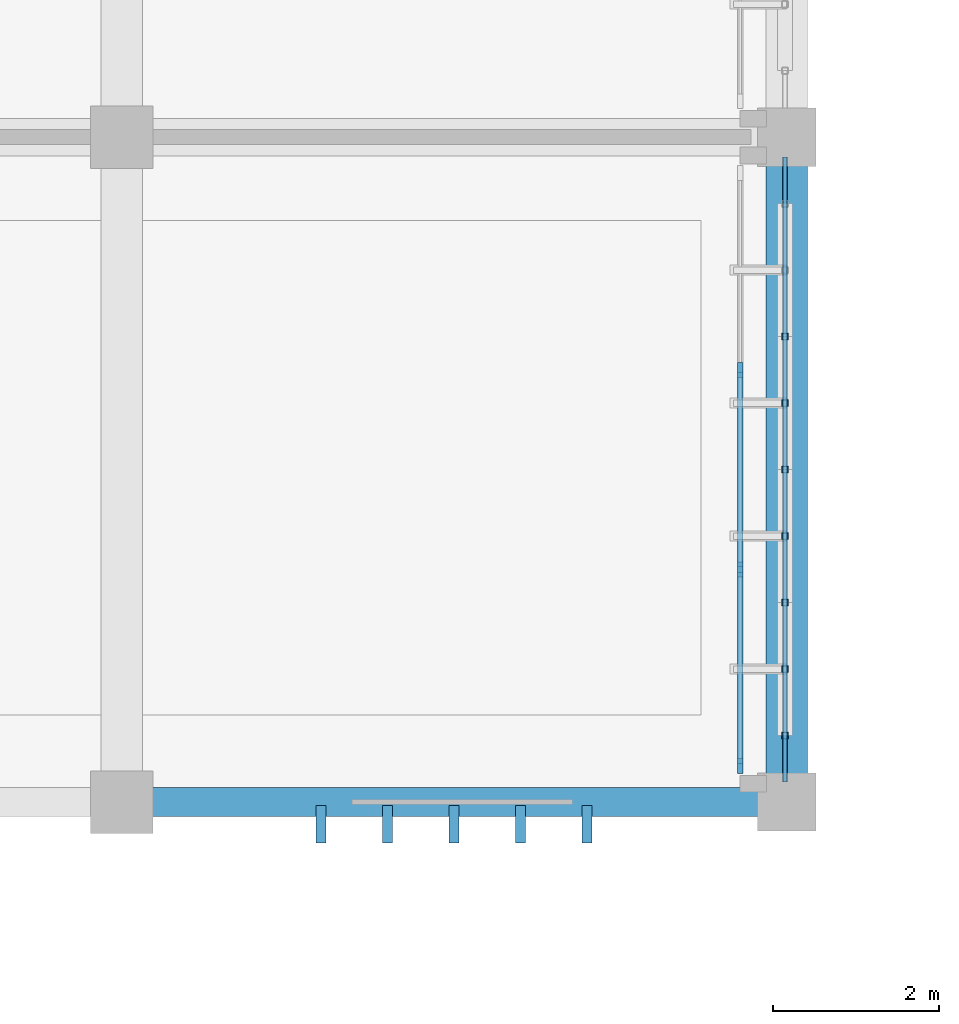
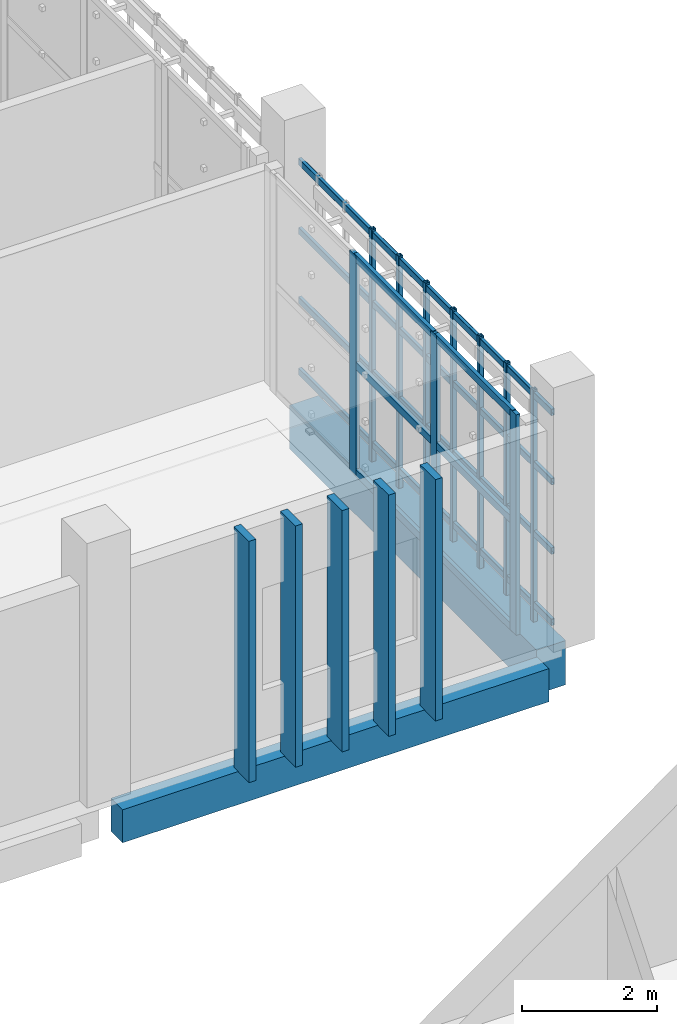
# One storey, part 71 of 117: 25 members, 2 beams, 1 element without a shape of its own.
"""IFC4 building model written with IfcOpenShell, lengths in metres."""

from ifc_helpers import new_model, si_unit, direction, frame, origin, origin_2d, place, context, subcontext, project, spatial, rectangle, hollow_rectangle, extrude, material, layer, layer_set, material_profile, profile_set, type_object, element, aggregate, save


model = new_model("IFC4")

# Units and contexts
model_context = context("Model", 3, precision=1e-05, world=origin(), true_north=direction((0.0, 1.0)))
body_context = subcontext(model_context, "Body", "Model", "MODEL_VIEW")
ifc_project = project(units=[si_unit("LENGTHUNIT", "METRE"), si_unit("AREAUNIT", "SQUARE_METRE"), si_unit("VOLUMEUNIT", "CUBIC_METRE"), si_unit("PLANEANGLEUNIT", "RADIAN"), si_unit("MASSUNIT", "GRAM", prefix="KILO")], contexts=[model_context])

# Site, building, storey
site_placement = place(None, origin())
site = spatial("IfcSite", under=ifc_project, at=site_placement, CompositionType="ELEMENT")
building_placement = place(site_placement, origin())
building = spatial("IfcBuilding", under=site, at=building_placement, Name="Jelvoka-Kovrelna Polytechnic", CompositionType="ELEMENT")
storey_placement = place(building_placement, origin())
storey = spatial("IfcBuildingStorey", under=building, at=storey_placement, Name="L01", CompositionType="ELEMENT", Elevation=0.0)

# Beam
ifc_material_1 = material(Name="Concrete C40/50", Category="concrete")
ifc_material_profile_1 = material_profile(ifc_material_1, rectangle(XDim=0.5, YDim=0.800048828125, at=origin_2d()), Name="RC 500x800")
ifc_profile_set_1 = profile_set([ifc_material_profile_1], Name="Concrete C40/50")
beam_type_1 = type_object("IfcBeamType", Name="Beam_RC_500x800", PredefinedType="BEAM", material=ifc_profile_set_1)
beam_1_placement = place(storey_placement, frame((192.0, 56.330078125, -0.804931640625), z_axis=(0.0, 1.0, 0.0), x_axis=(-1.0, 0.0, 0.0)))
element("IfcBeam", 1, at=beam_1_placement, inside=storey, type_object=beam_type_1, Name="L01 beam 0521", PredefinedType="BEAM", context=body_context, shape_type="SweptSolid", body=[
    extrude(rectangle(XDim=0.5, YDim=0.800048828125, at=origin_2d()), origin(), (0.0, 0.0, 1.0), 7.33984375),
])

# Members
ifc_material_2 = material(Name="Precast concrete C40/50", Category="concrete")
ifc_material_profile_2 = material_profile(ifc_material_2, rectangle(XDim=0.1201171875, YDim=0.449951171875, at=origin_2d()), Name="PC 120x450")
ifc_profile_set_2 = profile_set([ifc_material_profile_2], Name="Precast concrete C40/50")
member_type_1 = type_object("IfcMemberType", Name="Louvre_Fin_120x450", PredefinedType="USERDEFINED", material=ifc_profile_set_2)
for number, where, z_axis, x_axis, name in (
    (2, (186.39990234375, 55.735107421875, -0.419921875), (0.0, 0.0, 1.0), (1.0, 0.0, 0.0), "L01 B3 south vertical solar louvre fin 1311"),
    (3, (187.199951171875, 55.735107421875, -0.419921875), (0.0, 0.0, 1.0), (1.0, 0.0, 0.0), "L01 B3 south vertical solar louvre fin 1312"),
    (4, (188.0, 55.735107421875, -0.419921875), (0.0, 0.0, 1.0), (1.0, 0.0, 0.0), "L01 B3 south vertical solar louvre fin 1313"),
    (5, (188.800048828125, 55.735107421875, -0.419921875), (0.0, 0.0, 1.0), (1.0, 0.0, 0.0), "L01 B3 south vertical solar louvre fin 1314"),
    (6, (189.60009765625, 55.735107421875, -0.419921875), (0.0, 0.0, 1.0), (1.0, 0.0, 0.0), "L01 B3 south vertical solar louvre fin 1315"),
):
    element("IfcMember", number, at=place(storey_placement, frame(where, z_axis=z_axis, x_axis=x_axis)), inside=storey, type_object=member_type_1, Name=name, ObjectType="SUNSHADE", PredefinedType="USERDEFINED", context=body_context, shape_type="SweptSolid", body=[
        extrude(rectangle(XDim=0.1201171875, YDim=0.449951171875, at=origin_2d()), origin(), (0.0, 0.0, 1.0), 4.3798828125),
    ])
ifc_material_3 = material(Name="Structural steel S355J2H", Category="steel")
ifc_material_profile_3 = material_profile(ifc_material_3, hollow_rectangle(XDim=0.06005859375, YDim=0.1201171875, WallThickness=0.0048828125, InnerFilletRadius=0.0048828125, OuterFilletRadius=0.007568359375, at=origin_2d()), Name="120x60x5.0 RHS")
ifc_profile_set_3 = profile_set([ifc_material_profile_3], Name="Structural steel S355J2H")
member_type_2 = type_object("IfcMemberType", Name="Member_Strut_RHS120", PredefinedType="STRUT", material=ifc_profile_set_3)
for number, where, z_axis, x_axis, name in (
    (7, (191.97998046875, 56.239990234375, 0.080078125), (0.0, 1.0, 0.0), (-1.0, 0.0, 0.0), "L01 terracotta screen horizontal strut 0625"),
    (8, (191.97998046875, 56.239990234375, 1.37548828125), (0.0, 1.0, 0.0), (-1.0, 0.0, 0.0), "L01 terracotta screen horizontal strut 0626"),
    (9, (191.97998046875, 56.239990234375, 2.6328125), (0.0, 1.0, 0.0), (-1.0, 0.0, 0.0), "L01 terracotta screen horizontal strut 0627"),
    (10, (191.97998046875, 56.239990234375, 3.889892578125), (0.0, 1.0, 0.0), (-1.0, 0.0, 0.0), "L01 terracotta screen horizontal strut 0628"),
):
    element("IfcMember", number, at=place(storey_placement, frame(where, z_axis=z_axis, x_axis=x_axis)), inside=storey, type_object=member_type_2, Name=name, PredefinedType="STRUT", context=body_context, shape_type="SweptSolid", body=[
        extrude(hollow_rectangle(XDim=0.06005859375, YDim=0.1201171875, WallThickness=0.0048828125, InnerFilletRadius=0.0048828125, OuterFilletRadius=0.007568359375, at=origin_2d()), origin(), (0.0, 0.0, 1.0), 7.52001953125),
    ])
ifc_material_4 = material(Name="Structural steel S355J2H", Category="steel")
ifc_material_profile_4 = material_profile(ifc_material_4, hollow_rectangle(XDim=0.080078125, YDim=0.080078125, WallThickness=0.0048828125, InnerFilletRadius=0.0048828125, OuterFilletRadius=0.007568359375, at=origin_2d()), Name="80x80x5.0 SHS")
ifc_profile_set_4 = profile_set([ifc_material_profile_4], Name="Structural steel S355J2H")
member_type_3 = type_object("IfcMemberType", Name="Member_Strut_SHS80", PredefinedType="STRUT", material=ifc_profile_set_4)
for number, where, z_axis, x_axis, name in (
    (11, (191.97998046875, 56.800048828125, -0.22998046875), (0.0, 0.0, 1.0), (1.0, 0.0, 0.0), "L01 terracotta lattice vertical rib 0629"),
    (12, (191.97998046875, 57.60009765625, -0.22998046875), (0.0, 0.0, 1.0), (1.0, 0.0, 0.0), "L01 terracotta lattice vertical rib 0630"),
    (13, (191.97998046875, 58.39990234375, -0.22998046875), (0.0, 0.0, 1.0), (1.0, 0.0, 0.0), "L01 terracotta lattice vertical rib 0631"),
    (14, (191.97998046875, 59.199951171875, -0.22998046875), (0.0, 0.0, 1.0), (1.0, 0.0, 0.0), "L01 terracotta lattice vertical rib 0632"),
    (15, (191.97998046875, 60.0, -0.22998046875), (0.0, 0.0, 1.0), (1.0, 0.0, 0.0), "L01 terracotta lattice vertical rib 0633"),
    (16, (191.97998046875, 60.800048828125, -0.22998046875), (0.0, 0.0, 1.0), (1.0, 0.0, 0.0), "L01 terracotta lattice vertical rib 0634"),
    (17, (191.97998046875, 61.60009765625, -0.22998046875), (0.0, 0.0, 1.0), (1.0, 0.0, 0.0), "L01 terracotta lattice vertical rib 0635"),
):
    element("IfcMember", number, at=place(storey_placement, frame(where, z_axis=z_axis, x_axis=x_axis)), inside=storey, type_object=member_type_3, Name=name, PredefinedType="STRUT", context=body_context, shape_type="SweptSolid", body=[
        extrude(hollow_rectangle(XDim=0.080078125, YDim=0.080078125, WallThickness=0.0048828125, InnerFilletRadius=0.0048828125, OuterFilletRadius=0.007568359375, at=origin_2d()), origin(), (0.0, 0.0, 1.0), 4.2099609375),
    ])

# Curtain wall, members
ifc_material_5 = material(Name="Anodised aluminium 6063-T6", Category="aluminium")
ifc_layer = layer(ifc_material_5, 0.179931640625)
ifc_layer_set = layer_set([ifc_layer], Name="Anodised aluminium 6063-T6")
curtain_wall_type = type_object("IfcCurtainWallType", Name="CW_Recessed_B", PredefinedType="NOTDEFINED", material=ifc_layer_set)
curtain_wall_placement = place(storey_placement, origin())
curtain_wall = element("IfcCurtainWall", 18, at=curtain_wall_placement, inside=storey, type_object=curtain_wall_type, Name="L01 glazed curtain wall 081", PredefinedType="NOTDEFINED")
ifc_material_6 = material(Name="Anodised aluminium 6063-T6", Category="aluminium")
ifc_material_profile_5 = material_profile(ifc_material_6, rectangle(XDim=0.06494140625, YDim=0.179931640625, at=origin_2d()), Name="ALU 65x180")
ifc_profile_set_5 = profile_set([ifc_material_profile_5], Name="Anodised aluminium 6063-T6")
member_type_4 = type_object("IfcMemberType", Name="Mullion_M-02", PredefinedType="MULLION", material=ifc_profile_set_5)
member_1_placement = place(storey_placement, frame((191.43994140625, 61.199951171875, -0.02490234375), z_axis=(0.0, 0.0, 1.0), x_axis=(1.0, 0.0, 0.0)))
member_1 = element("IfcMember", 19, at=member_1_placement, type_object=member_type_4, Name="CW-02 mullion 2", PredefinedType="MULLION", context=body_context, shape_type="SweptSolid", body=[
    extrude(rectangle(XDim=0.06494140625, YDim=0.179931640625, at=origin_2d()), origin(), (0.0, 0.0, 1.0), 4.0),
])
member_2_placement = place(storey_placement, frame((191.43994140625, 58.800048828125, -0.02490234375), z_axis=(0.0, 0.0, 1.0), x_axis=(1.0, 0.0, 0.0)))
member_2 = element("IfcMember", 20, at=member_2_placement, type_object=member_type_4, Name="CW-02 mullion 3", PredefinedType="MULLION", context=body_context, shape_type="SweptSolid", body=[
    extrude(rectangle(XDim=0.06494140625, YDim=0.179931640625, at=origin_2d()), origin(), (0.0, 0.0, 1.0), 4.0),
])
member_3_placement = place(storey_placement, frame((191.43994140625, 56.4326171875, -0.02490234375), z_axis=(0.0, 0.0, 1.0), x_axis=(1.0, 0.0, 0.0)))
member_3 = element("IfcMember", 21, at=member_3_placement, type_object=member_type_4, Name="CW-02 mullion 4", PredefinedType="MULLION", context=body_context, shape_type="SweptSolid", body=[
    extrude(rectangle(XDim=0.06494140625, YDim=0.179931640625, at=origin_2d()), origin(), (0.0, 0.0, 1.0), 4.0),
])

# Beam
ifc_material_7 = material(Name="Concrete C40/50", Category="concrete")
ifc_material_profile_6 = material_profile(ifc_material_7, rectangle(XDim=0.35009765625, YDim=0.60009765625, at=origin_2d()), Name="RC 350x600")
ifc_profile_set_6 = profile_set([ifc_material_profile_6], Name="Concrete C40/50")
beam_type_2 = type_object("IfcBeamType", Name="Spandrel_RC_350x600", PredefinedType="SPANDREL", material=ifc_profile_set_6)
beam_2_placement = place(storey_placement, frame((184.35498046875, 56.0, -0.705078125), z_axis=(1.0, 0.0, 0.0), x_axis=(0.0, 1.0, 0.0)))
element("IfcBeam", 22, at=beam_2_placement, inside=storey, type_object=beam_type_2, Name="L01 beam 0484", PredefinedType="SPANDREL", context=body_context, shape_type="SweptSolid", body=[
    extrude(rectangle(XDim=0.35009765625, YDim=0.60009765625, at=origin_2d()), origin(), (0.0, 0.0, 1.0), 7.31494140625),
])

# Member
ifc_material_8 = material(Name="Anodised aluminium 6063-T6", Category="aluminium")
ifc_material_profile_7 = material_profile(ifc_material_8, rectangle(XDim=0.06494140625, YDim=0.135009765625, at=origin_2d()), Name="ALU 65x135")
ifc_profile_set_7 = profile_set([ifc_material_profile_7], Name="Anodised aluminium 6063-T6")
member_type_5 = type_object("IfcMemberType", Name="Transom_T-02", PredefinedType="USERDEFINED", material=ifc_profile_set_7)
member_4_placement = place(storey_placement, frame((191.43994140625, 61.16748046875, 0.032470703125), z_axis=(0.0, -1.0, 0.0), x_axis=(1.0, 0.0, 0.0)))
member_4 = element("IfcMember", 23, at=member_4_placement, type_object=member_type_5, Name="CW-02 transom 2.1", ObjectType="TRANSOM", PredefinedType="USERDEFINED", context=body_context, shape_type="SweptSolid", body=[
    extrude(rectangle(XDim=0.06494140625, YDim=0.135009765625, at=origin_2d()), origin(), (0.0, 0.0, 1.0), 2.3349609375),
])

member_5_placement = place(storey_placement, frame((191.43994140625, 61.16748046875, 1.97509765625), z_axis=(0.0, -1.0, 0.0), x_axis=(1.0, 0.0, 0.0)))
member_5 = element("IfcMember", 24, at=member_5_placement, type_object=member_type_5, Name="CW-02 transom 2.2", ObjectType="TRANSOM", PredefinedType="USERDEFINED", context=body_context, shape_type="SweptSolid", body=[
    extrude(rectangle(XDim=0.06494140625, YDim=0.135009765625, at=origin_2d()), origin(), (0.0, 0.0, 1.0), 2.3349609375),
])

member_6_placement = place(storey_placement, frame((191.43994140625, 61.16748046875, 3.91748046875), z_axis=(0.0, -1.0, 0.0), x_axis=(1.0, 0.0, 0.0)))
member_6 = element("IfcMember", 25, at=member_6_placement, type_object=member_type_5, Name="CW-02 transom 2.3", ObjectType="TRANSOM", PredefinedType="USERDEFINED", context=body_context, shape_type="SweptSolid", body=[
    extrude(rectangle(XDim=0.06494140625, YDim=0.135009765625, at=origin_2d()), origin(), (0.0, 0.0, 1.0), 2.3349609375),
])

member_7_placement = place(storey_placement, frame((191.43994140625, 58.767578125, 0.032470703125), z_axis=(0.0, -1.0, 0.0), x_axis=(1.0, 0.0, 0.0)))
member_7 = element("IfcMember", 26, at=member_7_placement, type_object=member_type_5, Name="CW-02 transom 3.1", ObjectType="TRANSOM", PredefinedType="USERDEFINED", context=body_context, shape_type="SweptSolid", body=[
    extrude(rectangle(XDim=0.06494140625, YDim=0.135009765625, at=origin_2d()), origin(), (0.0, 0.0, 1.0), 2.302490234375),
])

member_8_placement = place(storey_placement, frame((191.43994140625, 58.767578125, 1.97509765625), z_axis=(0.0, -1.0, 0.0), x_axis=(1.0, 0.0, 0.0)))
member_8 = element("IfcMember", 27, at=member_8_placement, type_object=member_type_5, Name="CW-02 transom 3.2", ObjectType="TRANSOM", PredefinedType="USERDEFINED", context=body_context, shape_type="SweptSolid", body=[
    extrude(rectangle(XDim=0.06494140625, YDim=0.135009765625, at=origin_2d()), origin(), (0.0, 0.0, 1.0), 2.302490234375),
])

member_9_placement = place(storey_placement, frame((191.43994140625, 58.767578125, 3.91748046875), z_axis=(0.0, -1.0, 0.0), x_axis=(1.0, 0.0, 0.0)))
member_9 = element("IfcMember", 28, at=member_9_placement, type_object=member_type_5, Name="CW-02 transom 3.3", ObjectType="TRANSOM", PredefinedType="USERDEFINED", context=body_context, shape_type="SweptSolid", body=[
    extrude(rectangle(XDim=0.06494140625, YDim=0.135009765625, at=origin_2d()), origin(), (0.0, 0.0, 1.0), 2.302490234375),
])

aggregate(curtain_wall, [member_1, member_2, member_3, member_4, member_5, member_6, member_7, member_8, member_9])

save(model, "model.ifc")
